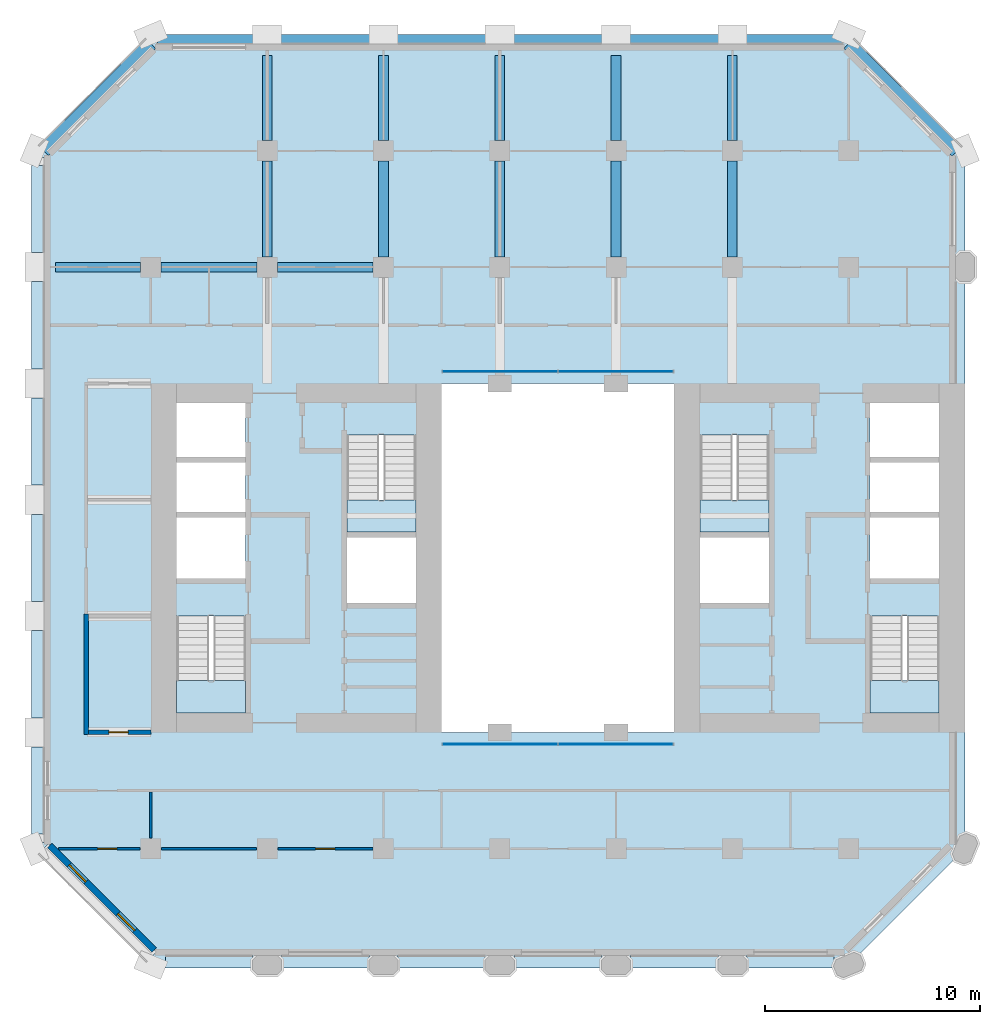
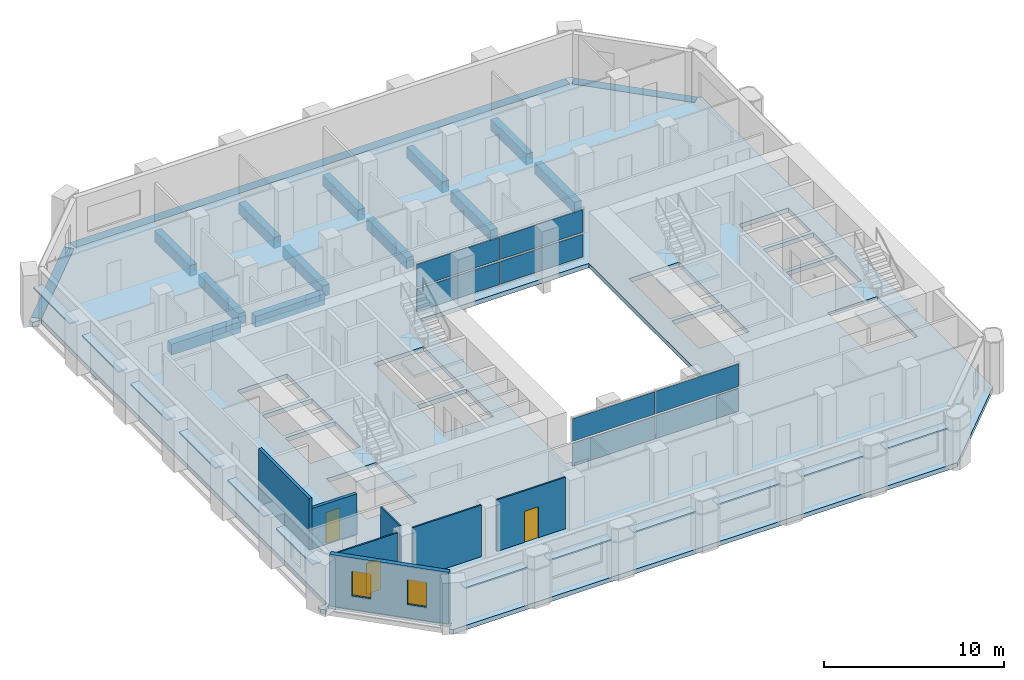
# One storey, part 5 of 12: 20 plates, 16 beams, 7 walls, 5 slabs, 3 doors, 2 windows, 5 openings, 6 elements without a shape of their own.
"""IFC4 building model written with IfcOpenShell, lengths in metres."""

from ifc_helpers import new_model, si_unit, direction, frame, frame_2d, origin, origin_2d, place, context, subcontext, project, spatial, polyline, rectangle, outline, extrude, material, layer, layer_set, material_profile, profile_set, type_object, element, fill, aggregate, save


model = new_model("IFC4")

# Units and contexts
model_context = context("Model", 3, precision=1e-05, world=origin(), true_north=direction((0.0, 1.0)))
body_context = subcontext(model_context, "Body", "Model", "MODEL_VIEW")
ifc_project = project(units=[si_unit("LENGTHUNIT", "METRE"), si_unit("AREAUNIT", "SQUARE_METRE"), si_unit("VOLUMEUNIT", "CUBIC_METRE"), si_unit("PLANEANGLEUNIT", "RADIAN"), si_unit("MASSUNIT", "GRAM", prefix="KILO")], contexts=[model_context])

# Site, building, storey
site_placement = place(None, origin())
site = spatial("IfcSite", under=ifc_project, at=site_placement, CompositionType="ELEMENT")
building_placement = place(site_placement, origin())
building = spatial("IfcBuilding", under=site, at=building_placement, Name="Tabaq Tower and Sports Hall", CompositionType="ELEMENT")
storey_placement = place(building_placement, frame((0.0, 0.0, 99.199951171875)))
storey = spatial("IfcBuildingStorey", under=building, at=storey_placement, Name="L23", CompositionType="ELEMENT", Elevation=99.199951171875)

# Beams
ifc_material_1 = material(Name="Concrete C40/50", Category="concrete")
ifc_material_profile_1 = material_profile(ifc_material_1, rectangle(XDim=0.449951171875, YDim=0.75, at=origin_2d()), Name="CB 450x750")
ifc_profile_set_1 = profile_set([ifc_material_profile_1], Name="Concrete C40/50")
beam_type_1 = type_object("IfcBeamType", Name="PT CANTILEVER BEAM CB 450x750 C40/50", PredefinedType="BEAM", material=ifc_profile_set_1)
beam_1_placement = place(storey_placement, frame((0.97509765625, 37.800048828125, -0.675048828125), z_axis=(1.0, 0.0, 0.0), x_axis=(0.0, 1.0, 0.0)))
element("IfcBeam", 1, at=beam_1_placement, inside=storey, type_object=beam_type_1, Name="Cantilever Beam L23 W7 span 1", PredefinedType="BEAM", context=body_context, shape_type="SweptSolid", body=[
    extrude(rectangle(XDim=0.449951171875, YDim=0.75, at=origin_2d()), origin(), (0.0, 0.0, 1.0), 3.949951171875),
])
beam_2_placement = place(storey_placement, frame((5.875, 37.800048828125, -0.675048828125), z_axis=(1.0, 0.0, 0.0), x_axis=(0.0, 1.0, 0.0)))
element("IfcBeam", 2, at=beam_2_placement, inside=storey, type_object=beam_type_1, Name="Cantilever Beam L23 W7 span 2", PredefinedType="BEAM", context=body_context, shape_type="SweptSolid", body=[
    extrude(rectangle(XDim=0.449951171875, YDim=0.75, at=origin_2d()), origin(), (0.0, 0.0, 1.0), 4.449951171875),
])
beam_3_placement = place(storey_placement, frame((11.27490234375, 37.800048828125, -0.675048828125), z_axis=(1.0, 0.0, 0.0), x_axis=(0.0, 1.0, 0.0)))
element("IfcBeam", 3, at=beam_3_placement, inside=storey, type_object=beam_type_1, Name="Cantilever Beam L23 W7 span 3", PredefinedType="BEAM", context=body_context, shape_type="SweptSolid", body=[
    extrude(rectangle(XDim=0.449951171875, YDim=0.75, at=origin_2d()), origin(), (0.0, 0.0, 1.0), 4.4501953125),
])
beam_4_placement = place(storey_placement, frame((10.800048828125, 47.625, -0.675048828125), z_axis=(0.0, -1.0, 0.0), x_axis=(1.0, 0.0, 0.0)))
element("IfcBeam", 4, at=beam_4_placement, inside=storey, type_object=beam_type_1, Name="Cantilever Beam L23 N2 span 1", PredefinedType="BEAM", context=body_context, shape_type="SweptSolid", body=[
    extrude(rectangle(XDim=0.449951171875, YDim=0.75, at=origin_2d()), origin(), (0.0, 0.0, 1.0), 3.949951171875),
])
beam_5_placement = place(storey_placement, frame((10.800048828125, 42.72509765625, -0.675048828125), z_axis=(0.0, -1.0, 0.0), x_axis=(1.0, 0.0, 0.0)))
element("IfcBeam", 5, at=beam_5_placement, inside=storey, type_object=beam_type_1, Name="Cantilever Beam L23 N2 span 2", PredefinedType="BEAM", context=body_context, shape_type="SweptSolid", body=[
    extrude(rectangle(XDim=0.449951171875, YDim=0.75, at=origin_2d()), origin(), (0.0, 0.0, 1.0), 4.4501953125),
])
beam_6_placement = place(storey_placement, frame((16.199951171875, 47.625, -0.675048828125), z_axis=(0.0, -1.0, 0.0), x_axis=(1.0, 0.0, 0.0)))
element("IfcBeam", 6, at=beam_6_placement, inside=storey, type_object=beam_type_1, Name="Cantilever Beam L23 N3 span 1", PredefinedType="BEAM", context=body_context, shape_type="SweptSolid", body=[
    extrude(rectangle(XDim=0.449951171875, YDim=0.75, at=origin_2d()), origin(), (0.0, 0.0, 1.0), 3.949951171875),
])
beam_7_placement = place(storey_placement, frame((16.199951171875, 42.72509765625, -0.675048828125), z_axis=(0.0, -1.0, 0.0), x_axis=(1.0, 0.0, 0.0)))
element("IfcBeam", 7, at=beam_7_placement, inside=storey, type_object=beam_type_1, Name="Cantilever Beam L23 N3 span 2", PredefinedType="BEAM", context=body_context, shape_type="SweptSolid", body=[
    extrude(rectangle(XDim=0.449951171875, YDim=0.75, at=origin_2d()), origin(), (0.0, 0.0, 1.0), 4.4501953125),
])
beam_8_placement = place(storey_placement, frame((21.60009765625, 47.625, -0.675048828125), z_axis=(0.0, -1.0, 0.0), x_axis=(1.0, 0.0, 0.0)))
element("IfcBeam", 8, at=beam_8_placement, inside=storey, type_object=beam_type_1, Name="Cantilever Beam L23 N4 span 1", PredefinedType="BEAM", context=body_context, shape_type="SweptSolid", body=[
    extrude(rectangle(XDim=0.449951171875, YDim=0.75, at=origin_2d()), origin(), (0.0, 0.0, 1.0), 3.949951171875),
])
beam_9_placement = place(storey_placement, frame((21.60009765625, 42.72509765625, -0.675048828125), z_axis=(0.0, -1.0, 0.0), x_axis=(1.0, 0.0, 0.0)))
element("IfcBeam", 9, at=beam_9_placement, inside=storey, type_object=beam_type_1, Name="Cantilever Beam L23 N4 span 2", PredefinedType="BEAM", context=body_context, shape_type="SweptSolid", body=[
    extrude(rectangle(XDim=0.449951171875, YDim=0.75, at=origin_2d()), origin(), (0.0, 0.0, 1.0), 4.4501953125),
])
beam_10_placement = place(storey_placement, frame((27.0, 47.625, -0.675048828125), z_axis=(0.0, -1.0, 0.0), x_axis=(1.0, 0.0, 0.0)))
element("IfcBeam", 10, at=beam_10_placement, inside=storey, type_object=beam_type_1, Name="Cantilever Beam L23 N5 span 1", PredefinedType="BEAM", context=body_context, shape_type="SweptSolid", body=[
    extrude(rectangle(XDim=0.449951171875, YDim=0.75, at=origin_2d()), origin(), (0.0, 0.0, 1.0), 3.949951171875),
])
beam_11_placement = place(storey_placement, frame((27.0, 42.72509765625, -0.675048828125), z_axis=(0.0, -1.0, 0.0), x_axis=(1.0, 0.0, 0.0)))
element("IfcBeam", 11, at=beam_11_placement, inside=storey, type_object=beam_type_1, Name="Cantilever Beam L23 N5 span 2", PredefinedType="BEAM", context=body_context, shape_type="SweptSolid", body=[
    extrude(rectangle(XDim=0.449951171875, YDim=0.75, at=origin_2d()), origin(), (0.0, 0.0, 1.0), 4.4501953125),
])
beam_12_placement = place(storey_placement, frame((32.39990234375, 47.625, -0.675048828125), z_axis=(0.0, -1.0, 0.0), x_axis=(1.0, 0.0, 0.0)))
element("IfcBeam", 12, at=beam_12_placement, inside=storey, type_object=beam_type_1, Name="Cantilever Beam L23 N6 span 1", PredefinedType="BEAM", context=body_context, shape_type="SweptSolid", body=[
    extrude(rectangle(XDim=0.449951171875, YDim=0.75, at=origin_2d()), origin(), (0.0, 0.0, 1.0), 3.949951171875),
])
beam_13_placement = place(storey_placement, frame((32.39990234375, 42.72509765625, -0.675048828125), z_axis=(0.0, -1.0, 0.0), x_axis=(1.0, 0.0, 0.0)))
element("IfcBeam", 13, at=beam_13_placement, inside=storey, type_object=beam_type_1, Name="Cantilever Beam L23 N6 span 2", PredefinedType="BEAM", context=body_context, shape_type="SweptSolid", body=[
    extrude(rectangle(XDim=0.449951171875, YDim=0.75, at=origin_2d()), origin(), (0.0, 0.0, 1.0), 4.4501953125),
])
ifc_material_2 = material(Name="Concrete C40/50", Category="concrete")
ifc_material_profile_2 = material_profile(ifc_material_2, rectangle(XDim=0.60009765625, YDim=0.300048828125, at=origin_2d()), Name="EB 600x300")
ifc_profile_set_2 = profile_set([ifc_material_profile_2], Name="Concrete C40/50")
beam_type_2 = type_object("IfcBeamType", Name="PT EDGE BEAM EB 600x300 C40/50", PredefinedType="SPANDREL", material=ifc_profile_set_2)
beam_14_placement = place(storey_placement, frame((42.81103515625, 43.16455078125, -0.14990234375), z_axis=(-0.707089559252, 0.707124002701, 0.0), x_axis=(-0.707124002701, -0.707089559252, 0.0)))
element("IfcBeam", 14, at=beam_14_placement, inside=storey, type_object=beam_type_2, Name="Edge Beam L23 1", PredefinedType="SPANDREL", context=body_context, shape_type="SweptSolid", body=[
    extrude(rectangle(XDim=0.60009765625, YDim=0.300048828125, at=origin_2d()), origin(), (0.0, 0.0, 1.0), 7.088134765625),
])
beam_15_placement = place(storey_placement, frame((37.50146484375, 48.300048828125, -0.14990234375), z_axis=(-1.0, 0.0, 0.0), x_axis=(0.0, -1.0, 0.0)))
element("IfcBeam", 15, at=beam_15_placement, inside=storey, type_object=beam_type_2, Name="Edge Beam L23 2", PredefinedType="SPANDREL", context=body_context, shape_type="SweptSolid", body=[
    extrude(rectangle(XDim=0.60009765625, YDim=0.300048828125, at=origin_2d()), origin(), (0.0, 0.0, 1.0), 31.802978515625),
])
beam_16_placement = place(storey_placement, frame((5.401123046875, 48.1767578125, -0.14990234375), z_axis=(-0.707106781187, -0.707106781187, 0.0), x_axis=(0.707106781187, -0.707106781187, 0.0)))
element("IfcBeam", 16, at=beam_16_placement, inside=storey, type_object=beam_type_2, Name="Edge Beam L23 3", PredefinedType="SPANDREL", context=body_context, shape_type="SweptSolid", body=[
    extrude(rectangle(XDim=0.60009765625, YDim=0.300048828125, at=origin_2d()), origin(), (0.0, 0.0, 1.0), 7.03955078125),
])

# Curtain wall, plates
ifc_material_3 = material(Name="Aluminium alloy 6063-T6 framed glazing", Category="aluminium")
curtain_wall_type = type_object("IfcCurtainWallType", Name="CW1 curtain wall", PredefinedType="USERDEFINED", material=ifc_material_3)
curtain_wall_1_placement = place(storey_placement, origin())
curtain_wall_1 = element("IfcCurtainWall", 17, at=curtain_wall_1_placement, inside=storey, type_object=curtain_wall_type, Name="Atrium glazing L23 S", ObjectType="ATRIUM ENCLOSURE", PredefinedType="USERDEFINED")
ifc_material_4 = material(Name="Clear low-emissivity glass 28 mm", Category="glass")
ifc_layer_1 = layer(ifc_material_4, 0.028076171875)
ifc_layer_set_1 = layer_set([ifc_layer_1], Name="CW1 glass panel 28")
plate_type_1 = type_object("IfcPlateType", Name="CW1 glass panel 28", PredefinedType="CURTAIN_PANEL", material=ifc_layer_set_1)
plate_1_placement = place(storey_placement, frame((21.614990234375, 15.64990234375, 0.14013671875), z_axis=(0.0, 0.0, 1.0), x_axis=(1.0, 0.0, 0.0)))
plate_1 = element("IfcPlate", 18, at=plate_1_placement, type_object=plate_type_1, Name="CW1 panel 1.1", PredefinedType="CURTAIN_PANEL", context=body_context, shape_type="SweptSolid", body=[
    extrude(rectangle(XDim=5.31005859375, YDim=0.028076171875, at=origin_2d()), origin(), (0.0, 0.0, 1.0), 1.5400390625),
])
plate_2_placement = place(storey_placement, frame((21.614990234375, 15.64990234375, 1.820068359375), z_axis=(0.0, 0.0, 1.0), x_axis=(1.0, 0.0, 0.0)))
plate_2 = element("IfcPlate", 19, at=plate_2_placement, type_object=plate_type_1, Name="CW1 panel 1.2", PredefinedType="CURTAIN_PANEL", context=body_context, shape_type="SweptSolid", body=[
    extrude(rectangle(XDim=5.31005859375, YDim=0.028076171875, at=origin_2d()), origin(), (0.0, 0.0, 1.0), 1.5400390625),
])
plate_3_placement = place(storey_placement, frame((26.985107421875, 15.64990234375, 0.14013671875), z_axis=(0.0, 0.0, 1.0), x_axis=(1.0, 0.0, 0.0)))
plate_3 = element("IfcPlate", 20, at=plate_3_placement, type_object=plate_type_1, Name="CW1 panel 2.1", PredefinedType="CURTAIN_PANEL", context=body_context, shape_type="SweptSolid", body=[
    extrude(rectangle(XDim=5.31005859375, YDim=0.028076171875, at=origin_2d()), origin(), (0.0, 0.0, 1.0), 1.5400390625),
])
plate_4_placement = place(storey_placement, frame((26.985107421875, 15.64990234375, 1.820068359375), z_axis=(0.0, 0.0, 1.0), x_axis=(1.0, 0.0, 0.0)))
plate_4 = element("IfcPlate", 21, at=plate_4_placement, type_object=plate_type_1, Name="CW1 panel 2.2", PredefinedType="CURTAIN_PANEL", context=body_context, shape_type="SweptSolid", body=[
    extrude(rectangle(XDim=5.31005859375, YDim=0.028076171875, at=origin_2d()), origin(), (0.0, 0.0, 1.0), 1.5400390625),
])
aggregate(curtain_wall_1, [plate_1, plate_2, plate_3, plate_4])

curtain_wall_2_placement = place(storey_placement, origin())
curtain_wall_2 = element("IfcCurtainWall", 22, at=curtain_wall_2_placement, inside=storey, type_object=curtain_wall_type, Name="Atrium glazing L23 N", ObjectType="ATRIUM ENCLOSURE", PredefinedType="USERDEFINED")
plate_5_placement = place(storey_placement, frame((21.614990234375, 32.949951171875, 0.14013671875), z_axis=(0.0, 0.0, 1.0), x_axis=(1.0, 0.0, 0.0)))
plate_5 = element("IfcPlate", 23, at=plate_5_placement, type_object=plate_type_1, Name="CW1 panel 1.1", PredefinedType="CURTAIN_PANEL", context=body_context, shape_type="SweptSolid", body=[
    extrude(rectangle(XDim=5.31005859375, YDim=0.028076171875, at=origin_2d()), origin(), (0.0, 0.0, 1.0), 1.5400390625),
])
plate_6_placement = place(storey_placement, frame((21.614990234375, 32.949951171875, 1.820068359375), z_axis=(0.0, 0.0, 1.0), x_axis=(1.0, 0.0, 0.0)))
plate_6 = element("IfcPlate", 24, at=plate_6_placement, type_object=plate_type_1, Name="CW1 panel 1.2", PredefinedType="CURTAIN_PANEL", context=body_context, shape_type="SweptSolid", body=[
    extrude(rectangle(XDim=5.31005859375, YDim=0.028076171875, at=origin_2d()), origin(), (0.0, 0.0, 1.0), 1.5400390625),
])
plate_7_placement = place(storey_placement, frame((26.985107421875, 32.949951171875, 0.14013671875), z_axis=(0.0, 0.0, 1.0), x_axis=(1.0, 0.0, 0.0)))
plate_7 = element("IfcPlate", 25, at=plate_7_placement, type_object=plate_type_1, Name="CW1 panel 2.1", PredefinedType="CURTAIN_PANEL", context=body_context, shape_type="SweptSolid", body=[
    extrude(rectangle(XDim=5.31005859375, YDim=0.028076171875, at=origin_2d()), origin(), (0.0, 0.0, 1.0), 1.5400390625),
])
plate_8_placement = place(storey_placement, frame((26.985107421875, 32.949951171875, 1.820068359375), z_axis=(0.0, 0.0, 1.0), x_axis=(1.0, 0.0, 0.0)))
plate_8 = element("IfcPlate", 26, at=plate_8_placement, type_object=plate_type_1, Name="CW1 panel 2.2", PredefinedType="CURTAIN_PANEL", context=body_context, shape_type="SweptSolid", body=[
    extrude(rectangle(XDim=5.31005859375, YDim=0.028076171875, at=origin_2d()), origin(), (0.0, 0.0, 1.0), 1.5400390625),
])
aggregate(curtain_wall_2, [plate_5, plate_6, plate_7, plate_8])

# Stair, slab
ifc_material_5 = material(Name="Concrete C40/50", Category="concrete")
stair_type = type_object("IfcStairType", Name="Exit stair", PredefinedType="HALF_TURN_STAIR", material=ifc_material_5)
stair_1_placement = place(storey_placement, origin())
stair_1 = element("IfcStair", 27, at=stair_1_placement, inside=storey, type_object=stair_type, Name="L23 Exit stair ST1", PredefinedType="HALF_TURN_STAIR")
ifc_material_6 = material(Name="Concrete C40/50", Category="concrete")
ifc_layer_2 = layer(ifc_material_6, 0.199951171875)
ifc_layer_set_2 = layer_set([ifc_layer_2], Name="Exit stair landing")
slab_type_1 = type_object("IfcSlabType", Name="Exit stair landing", PredefinedType="LANDING", material=ifc_layer_set_2)
slab_1_placement = place(storey_placement, frame((0.0, 0.0, 1.699951171875)))
slab_1 = element("IfcSlab", 28, at=slab_1_placement, type_object=slab_type_1, Name="ST1 landing 1", PredefinedType="LANDING", context=body_context, shape_type="SweptSolid", body=[
    extrude(outline(polyline([(6.60009765625, 18.60009765625), (6.60009765625, 17.10009765625), (9.800048828125, 17.10009765625), (9.800048828125, 18.60009765625), (6.60009765625, 18.60009765625)])), origin(), (0.0, 0.0, 1.0), 0.2001953125),
])
aggregate(stair_1, [slab_1])

stair_2_placement = place(storey_placement, origin())
stair_2 = element("IfcStair", 29, at=stair_2_placement, inside=storey, type_object=stair_type, Name="L23 Exit stair ST2", PredefinedType="HALF_TURN_STAIR")
slab_2_placement = place(storey_placement, frame((0.0, 0.0, 1.699951171875)))
slab_2 = element("IfcSlab", 30, at=slab_2_placement, type_object=slab_type_1, Name="ST2 landing 1", PredefinedType="LANDING", context=body_context, shape_type="SweptSolid", body=[
    extrude(outline(polyline([(14.5, 27.0), (14.5, 25.5), (17.699951171875, 25.5), (17.699951171875, 27.0), (14.5, 27.0)])), origin(), (0.0, 0.0, 1.0), 0.2001953125),
])
aggregate(stair_2, [slab_2])

stair_3_placement = place(storey_placement, origin())
stair_3 = element("IfcStair", 31, at=stair_3_placement, inside=storey, type_object=stair_type, Name="L23 Exit stair ST3", PredefinedType="HALF_TURN_STAIR")
slab_3_placement = place(storey_placement, frame((0.0, 0.0, 1.699951171875)))
slab_3 = element("IfcSlab", 32, at=slab_3_placement, type_object=slab_type_1, Name="ST3 landing 1", PredefinedType="LANDING", context=body_context, shape_type="SweptSolid", body=[
    extrude(outline(polyline([(38.800048828125, 18.60009765625), (38.800048828125, 17.10009765625), (42.0, 17.10009765625), (42.0, 18.60009765625), (38.800048828125, 18.60009765625)])), origin(), (0.0, 0.0, 1.0), 0.2001953125),
])
aggregate(stair_3, [slab_3])

stair_4_placement = place(storey_placement, origin())
stair_4 = element("IfcStair", 33, at=stair_4_placement, inside=storey, type_object=stair_type, Name="L23 Exit stair ST4", PredefinedType="HALF_TURN_STAIR")
slab_4_placement = place(storey_placement, frame((0.0, 0.0, 1.699951171875)))
slab_4 = element("IfcSlab", 34, at=slab_4_placement, type_object=slab_type_1, Name="ST4 landing 1", PredefinedType="LANDING", context=body_context, shape_type="SweptSolid", body=[
    extrude(outline(polyline([(30.89990234375, 27.0), (30.89990234375, 25.5), (34.10009765625, 25.5), (34.10009765625, 27.0), (30.89990234375, 27.0)])), origin(), (0.0, 0.0, 1.0), 0.2001953125),
])
aggregate(stair_4, [slab_4])

# Slab
ifc_material_7 = material(Name="Concrete C40/50", Category="concrete")
ifc_layer_3 = layer(ifc_material_7, 0.300048828125)
ifc_layer_set_3 = layer_set([ifc_layer_3], Name="PT FLOOR SLAB 300 C40/50")
slab_type_2 = type_object("IfcSlabType", Name="PT FLOOR SLAB 300 C40/50", PredefinedType="FLOOR", material=ifc_layer_set_3)
slab_5_placement = place(storey_placement, frame((0.0, 0.0, -0.300048828125)))
element("IfcSlab", 35, at=slab_5_placement, inside=storey, type_object=slab_type_2, Name="Floor Slab L23", PredefinedType="FLOOR", context=body_context, shape_type="SweptSolid", body=[
    extrude(outline(polyline([(0.0, 11.0986328125), (0.0, 10.800048828125), (0.211181640625, 10.5888671875), (0.63525390625, 11.01318359375), (5.6474609375, 6.0009765625), (5.57666015625, 5.930419921875), (5.22314453125, 5.57666015625), (5.39990234375, 5.39990234375), (37.800048828125, 5.39990234375), (43.199951171875, 10.800048828125), (43.199951171875, 43.199951171875), (43.023193359375, 43.376708984375), (42.669677734375, 43.023193359375), (42.598876953125, 42.952392578125), (37.5869140625, 47.964599609375), (37.657470703125, 48.035400390625), (38.010986328125, 48.388916015625), (37.800048828125, 48.60009765625), (37.50146484375, 48.60009765625), (37.50146484375, 48.10009765625), (37.50146484375, 48.0), (5.698486328125, 48.0), (5.698486328125, 48.10009765625), (5.698486328125, 48.60009765625), (5.39990234375, 48.60009765625), (5.18896484375, 48.388916015625), (5.54248046875, 48.035400390625), (5.61328125, 47.964599609375), (0.63525390625, 42.98681640625), (0.211181640625, 43.4111328125), (0.0, 43.199951171875), (0.0, 42.9013671875), (0.5, 42.9013671875), (0.60009765625, 42.9013671875), (0.60009765625, 11.0986328125), (0.5, 11.0986328125), (0.0, 11.0986328125)]), holes=[polyline([(6.60009765625, 21.599365234375), (9.800048828125, 21.599365234375), (9.800048828125, 17.10009765625), (6.60009765625, 17.10009765625), (6.60009765625, 21.599365234375)]), polyline([(17.699951171875, 25.25), (17.699951171875, 22.199951171875), (14.5, 22.199951171875), (14.5, 25.25), (17.699951171875, 25.25)]), polyline([(18.89990234375, 32.39990234375), (29.699951171875, 32.39990234375), (29.699951171875, 16.199951171875), (18.89990234375, 16.199951171875), (18.89990234375, 32.39990234375)]), polyline([(6.60009765625, 26.175048828125), (9.800048828125, 26.175048828125), (9.800048828125, 23.35009765625), (6.60009765625, 23.35009765625), (6.60009765625, 26.175048828125)]), polyline([(9.800048828125, 28.72509765625), (9.800048828125, 26.425048828125), (6.60009765625, 26.425048828125), (6.60009765625, 28.72509765625), (9.800048828125, 28.72509765625)]), polyline([(17.699951171875, 29.99951171875), (17.699951171875, 25.5), (14.5, 25.5), (14.5, 29.99951171875), (17.699951171875, 29.99951171875)]), polyline([(6.60009765625, 31.5), (9.800048828125, 31.5), (9.800048828125, 28.97509765625), (6.60009765625, 28.97509765625), (6.60009765625, 31.5)]), polyline([(42.0, 21.599365234375), (42.0, 17.10009765625), (38.800048828125, 17.10009765625), (38.800048828125, 21.599365234375), (42.0, 21.599365234375)]), polyline([(34.10009765625, 25.25), (34.10009765625, 22.199951171875), (30.89990234375, 22.199951171875), (30.89990234375, 25.25), (34.10009765625, 25.25)]), polyline([(42.0, 26.175048828125), (42.0, 23.35009765625), (38.800048828125, 23.35009765625), (38.800048828125, 26.175048828125), (42.0, 26.175048828125)]), polyline([(42.0, 28.72509765625), (42.0, 26.425048828125), (38.800048828125, 26.425048828125), (38.800048828125, 28.72509765625), (42.0, 28.72509765625)]), polyline([(34.10009765625, 29.99951171875), (34.10009765625, 25.5), (30.89990234375, 25.5), (30.89990234375, 29.99951171875), (34.10009765625, 29.99951171875)]), polyline([(42.0, 31.5), (42.0, 28.97509765625), (38.800048828125, 28.97509765625), (38.800048828125, 31.5), (42.0, 31.5)])]), origin(), (0.0, 0.0, 1.0), 0.300048828125),
])

# Plates
ifc_material_8 = material(Name="White precast concrete C60/75 blade", Category="concrete")
ifc_layer_4 = layer(ifc_material_8, 0.10009765625)
ifc_layer_set_4 = layer_set([ifc_layer_4], Name="White precast concrete C60/75 sunshade 100")
plate_type_2 = type_object("IfcPlateType", Name="White precast concrete C60/75 sunshade 100", PredefinedType="USERDEFINED", material=ifc_layer_set_4)
for number, where, z_axis, x_axis, name in (
    (36, (8.10009765625, 5.550048828125, 2.60009765625), (0.0, 0.0, 1.0), (1.0, 0.0, 0.0), "Sunshade L23 S"),
    (37, (13.5, 5.550048828125, 2.60009765625), (0.0, 0.0, 1.0), (1.0, 0.0, 0.0), "Sunshade L23 S"),
    (38, (18.89990234375, 5.550048828125, 2.60009765625), (0.0, 0.0, 1.0), (1.0, 0.0, 0.0), "Sunshade L23 S"),
    (39, (24.300048828125, 5.550048828125, 2.60009765625), (0.0, 0.0, 1.0), (1.0, 0.0, 0.0), "Sunshade L23 S"),
    (40, (29.699951171875, 5.550048828125, 2.60009765625), (0.0, 0.0, 1.0), (1.0, 0.0, 0.0), "Sunshade L23 S"),
    (41, (35.10009765625, 5.550048828125, 2.60009765625), (0.0, 0.0, 1.0), (1.0, 0.0, 0.0), "Sunshade L23 S"),
    (42, (0.14990234375, 40.5, 2.60009765625), (0.0, 0.0, 1.0), (0.0, -1.0, 0.0), "Sunshade L23 W"),
    (43, (0.14990234375, 35.10009765625, 2.60009765625), (0.0, 0.0, 1.0), (0.0, -1.0, 0.0), "Sunshade L23 W"),
    (44, (0.14990234375, 29.699951171875, 2.60009765625), (0.0, 0.0, 1.0), (0.0, -1.0, 0.0), "Sunshade L23 W"),
    (45, (0.14990234375, 24.300048828125, 2.60009765625), (0.0, 0.0, 1.0), (0.0, -1.0, 0.0), "Sunshade L23 W"),
    (46, (0.14990234375, 18.89990234375, 2.60009765625), (0.0, 0.0, 1.0), (0.0, -1.0, 0.0), "Sunshade L23 W"),
    (47, (0.14990234375, 13.5, 2.60009765625), (0.0, 0.0, 1.0), (0.0, -1.0, 0.0), "Sunshade L23 W"),
):
    element("IfcPlate", number, at=place(storey_placement, frame(where, z_axis=z_axis, x_axis=x_axis)), inside=storey, type_object=plate_type_2, Name=name, ObjectType="SUNSHADE", PredefinedType="USERDEFINED", context=body_context, shape_type="SweptSolid", body=[
        extrude(rectangle(XDim=4.050048828125, YDim=0.60009765625, at=origin_2d()), origin(), (0.0, 0.0, 1.0), 0.10009765625),
    ])

# Wall
ifc_material_9 = material(Name="Blockwork", Category="masonry")
ifc_layer_5 = layer(ifc_material_9, 0.199951171875)
ifc_layer_set_5 = layer_set([ifc_layer_5], Name="Fire compartment wall 200 Blockwork")
wall_type_1 = type_object("IfcWallType", Name="Fire compartment wall 200 Blockwork", PredefinedType="PARTITIONING", material=ifc_layer_set_5)
wall_1_placement = place(storey_placement, frame((2.39990234375, 21.699951171875, 0.0), z_axis=(0.0, 0.0, 1.0), x_axis=(0.0, -1.0, 0.0)))
element("IfcWall", 48, at=wall_1_placement, inside=storey, type_object=wall_type_1, Name="Compartment wall L23", PredefinedType="PARTITIONING", context=body_context, shape_type="SweptSolid", body=[
    extrude(rectangle(XDim=5.599853515625, YDim=0.199951171875, at=frame_2d((2.7998046875, 0.0))), origin(), (0.0, 0.0, 1.0), 3.5),
])

# Wall, opening, door
wall_2_placement = place(storey_placement, frame((2.5, 16.199951171875, 0.0), z_axis=(0.0, 0.0, 1.0), x_axis=(1.0, 0.0, 0.0)))
wall_2 = element("IfcWall", 49, at=wall_2_placement, inside=storey, type_object=wall_type_1, Name="Compartment wall L23", PredefinedType="PARTITIONING", context=body_context, shape_type="SweptSolid", body=[
    extrude(rectangle(XDim=2.89990234375, YDim=0.199951171875, at=frame_2d((1.449951171875, 0.0))), origin(), (0.0, 0.0, 1.0), 2.75),
])
opening_1_placement = place(wall_2_placement, frame((0.949951171875, 0.0, 0.0)))
opening_1 = element("IfcOpeningElement", 50, at=opening_1_placement, cuts=wall_2, Name="Opening L23-008", PredefinedType="OPENING", context=body_context, shape_type="SweptSolid", body=[
    extrude(rectangle(XDim=0.89990234375, YDim=2.10009765625, at=frame_2d((0.449951171875, 1.050048828125))), frame((0.0, 0.10009765625, 0.0), z_axis=(0.0, -1.0, 0.0), x_axis=(1.0, 0.0, 0.0)), (0.0, 0.0, 1.0), 0.199951171875),
])
ifc_material_10 = material(Name="Steel fire door", Category="steel")
door_type_1 = type_object("IfcDoorType", Name="Plant room door 900 right hand", OperationType="SINGLE_SWING_RIGHT", PredefinedType="DOOR", material=ifc_material_10)
door_1_placement = place(opening_1_placement, origin())
door_1 = element("IfcDoor", 51, at=door_1_placement, inside=storey, type_object=door_type_1, Name="Plant room door L23-008", OperationType="SINGLE_SWING_RIGHT", OverallHeight=2.10009765625, OverallWidth=0.89990234375, PredefinedType="DOOR", context=body_context, shape_type="SweptSolid", body=[
    extrude(rectangle(XDim=0.89990234375, YDim=2.10009765625, at=frame_2d((0.449951171875, 1.050048828125))), frame((0.0, 0.02490234375, 0.0), z_axis=(0.0, -1.0, 0.0), x_axis=(1.0, 0.0, 0.0)), (0.0, 0.0, 1.0), 0.050048828125),
])
fill(opening_1, door_1)

ifc_material_11 = material(Name="Gypsum board on steel studs", Category="steel")
ifc_layer_6 = layer(ifc_material_11, 0.10009765625)
ifc_layer_set_6 = layer_set([ifc_layer_6], Name="Partition 100 Gypsum board")
wall_type_2 = type_object("IfcWallType", Name="Partition 100 Gypsum board", PredefinedType="PARTITIONING", material=ifc_layer_set_6)
wall_3_placement = place(storey_placement, frame((1.112060546875, 10.800048828125, 0.0), z_axis=(0.0, 0.0, 1.0), x_axis=(1.0, 0.0, 0.0)))
wall_3 = element("IfcWall", 52, at=wall_3_placement, inside=storey, type_object=wall_type_2, Name="Partition wall L23", PredefinedType="PARTITIONING", context=body_context, shape_type="SweptSolid", body=[
    extrude(rectangle(XDim=3.79296875, YDim=0.10009765625, at=frame_2d((1.896484375, 0.0))), origin(), (0.0, 0.0, 1.0), 3.5),
])
opening_2_placement = place(wall_3_placement, frame((1.81298828125, 0.0, 0.0)))
opening_2 = element("IfcOpeningElement", 53, at=opening_2_placement, cuts=wall_3, Name="Opening L23-029", PredefinedType="OPENING", context=body_context, shape_type="SweptSolid", body=[
    extrude(rectangle(XDim=0.89990234375, YDim=2.10009765625, at=frame_2d((0.449951171875, 1.050048828125))), frame((0.0, 0.050048828125, 0.0), z_axis=(0.0, -1.0, 0.0), x_axis=(1.0, 0.0, 0.0)), (0.0, 0.0, 1.0), 0.10009765625),
])
ifc_material_12 = material(Name="Timber leaf in steel frame", Category="steel")
door_type_2 = type_object("IfcDoorType", Name="Internal door 900 right hand", OperationType="SINGLE_SWING_RIGHT", PredefinedType="DOOR", material=ifc_material_12)
door_2_placement = place(opening_2_placement, origin())
door_2 = element("IfcDoor", 54, at=door_2_placement, inside=storey, type_object=door_type_2, Name="Internal door L23-029", OperationType="SINGLE_SWING_RIGHT", OverallHeight=2.10009765625, OverallWidth=0.89990234375, PredefinedType="DOOR", context=body_context, shape_type="SweptSolid", body=[
    extrude(rectangle(XDim=0.89990234375, YDim=2.10009765625, at=frame_2d((0.449951171875, 1.050048828125))), frame((0.0, 0.02490234375, 0.0), z_axis=(0.0, -1.0, 0.0), x_axis=(1.0, 0.0, 0.0)), (0.0, 0.0, 1.0), 0.050048828125),
])
fill(opening_2, door_2)

# Walls
wall_4_placement = place(storey_placement, frame((5.39990234375, 11.294921875, 0.0), z_axis=(0.0, 0.0, 1.0), x_axis=(0.0, 1.0, 0.0)))
element("IfcWall", 55, at=wall_4_placement, inside=storey, type_object=wall_type_2, Name="Partition wall L23", PredefinedType="PARTITIONING", context=body_context, shape_type="SweptSolid", body=[
    extrude(rectangle(XDim=2.130126953125, YDim=0.10009765625, at=frame_2d((1.06494140625, 0.0))), origin(), (0.0, 0.0, 1.0), 3.5),
])
wall_5_placement = place(storey_placement, frame((5.89501953125, 10.800048828125, 0.0), z_axis=(0.0, 0.0, 1.0), x_axis=(1.0, 0.0, 0.0)))
element("IfcWall", 56, at=wall_5_placement, inside=storey, type_object=wall_type_2, Name="Partition wall L23", PredefinedType="PARTITIONING", context=body_context, shape_type="SweptSolid", body=[
    extrude(rectangle(XDim=4.409912109375, YDim=0.10009765625, at=frame_2d((2.205078125, 0.0))), origin(), (0.0, 0.0, 1.0), 3.5),
])

# Wall, opening, door
wall_6_placement = place(storey_placement, frame((11.294921875, 10.800048828125, 0.0), z_axis=(0.0, 0.0, 1.0), x_axis=(1.0, 0.0, 0.0)))
wall_6 = element("IfcWall", 57, at=wall_6_placement, inside=storey, type_object=wall_type_2, Name="Partition wall L23", PredefinedType="PARTITIONING", context=body_context, shape_type="SweptSolid", body=[
    extrude(rectangle(XDim=4.41015625, YDim=0.10009765625, at=frame_2d((2.205078125, 0.0))), origin(), (0.0, 0.0, 1.0), 3.5),
])
opening_3_placement = place(wall_6_placement, frame((1.7548828125, 0.0, 0.0)))
opening_3 = element("IfcOpeningElement", 58, at=opening_3_placement, cuts=wall_6, Name="Opening L23-018", PredefinedType="OPENING", context=body_context, shape_type="SweptSolid", body=[
    extrude(rectangle(XDim=0.89990234375, YDim=2.10009765625, at=frame_2d((0.449951171875, 1.050048828125))), frame((0.0, 0.050048828125, 0.0), z_axis=(0.0, -1.0, 0.0), x_axis=(1.0, 0.0, 0.0)), (0.0, 0.0, 1.0), 0.10009765625),
])
ifc_material_13 = material(Name="Timber leaf in steel frame", Category="steel")
door_type_3 = type_object("IfcDoorType", Name="Internal door 900 left hand", OperationType="SINGLE_SWING_LEFT", PredefinedType="DOOR", material=ifc_material_13)
door_3_placement = place(opening_3_placement, origin())
door_3 = element("IfcDoor", 59, at=door_3_placement, inside=storey, type_object=door_type_3, Name="Internal door L23-018", OperationType="SINGLE_SWING_LEFT", OverallHeight=2.10009765625, OverallWidth=0.89990234375, PredefinedType="DOOR", context=body_context, shape_type="SweptSolid", body=[
    extrude(rectangle(XDim=0.89990234375, YDim=2.10009765625, at=frame_2d((0.449951171875, 1.050048828125))), frame((0.0, 0.02490234375, 0.0), z_axis=(0.0, -1.0, 0.0), x_axis=(1.0, 0.0, 0.0)), (0.0, 0.0, 1.0), 0.050048828125),
])
fill(opening_3, door_3)

# Wall, openings, windows
ifc_material_14 = material(Name="White precast concrete C60/75", Category="concrete")
ifc_layer_7 = layer(ifc_material_14, 0.300048828125)
ifc_layer_set_7 = layer_set([ifc_layer_7], Name="White precast concrete C60/75 external wall 300")
wall_type_3 = type_object("IfcWallType", Name="White precast concrete C60/75 external wall 300", PredefinedType="SOLIDWALL", material=ifc_layer_set_7)
wall_7_placement = place(storey_placement, frame((0.698974609375, 10.949462890625, 0.0), z_axis=(0.0, 0.0, 1.0), x_axis=(0.707106781187, -0.707106781187, 0.0)))
wall_7 = element("IfcWall", 60, at=wall_7_placement, inside=storey, type_object=wall_type_3, Name="External Wall L23 SW", PredefinedType="SOLIDWALL", context=body_context, shape_type="SweptSolid", body=[
    extrude(rectangle(XDim=6.85986328125, YDim=0.300048828125, at=frame_2d((3.429931640625, 0.0))), origin(), (0.0, 0.0, 1.0), 3.5),
])
opening_4_placement = place(wall_7_placement, frame((1.27978515625, 0.0, 0.89990234375)))
opening_4 = element("IfcOpeningElement", 61, at=opening_4_placement, cuts=wall_7, Name="Opening W1B", PredefinedType="OPENING", context=body_context, shape_type="SweptSolid", body=[
    extrude(rectangle(XDim=1.10009765625, YDim=1.699951171875, at=frame_2d((0.550048828125, 0.85009765625))), frame((0.0, 0.16015625, 0.0), z_axis=(0.0, -1.0, 0.0), x_axis=(1.0, 0.0, 0.0)), (0.0, 0.0, 1.0), 0.320068359375),
])
opening_5_placement = place(wall_7_placement, frame((4.479736328125, 0.0, 0.89990234375)))
opening_5 = element("IfcOpeningElement", 62, at=opening_5_placement, cuts=wall_7, Name="Opening W1B", PredefinedType="OPENING", context=body_context, shape_type="SweptSolid", body=[
    extrude(rectangle(XDim=1.10009765625, YDim=1.699951171875, at=frame_2d((0.550048828125, 0.85009765625))), frame((0.0, 0.16015625, 0.0), z_axis=(0.0, -1.0, 0.0), x_axis=(1.0, 0.0, 0.0)), (0.0, 0.0, 1.0), 0.320068359375),
])
ifc_material_15 = material(Name="Aluminium framed clear glazing", Category="aluminium")
window_type = type_object("IfcWindowType", Name="Window W1B", PartitioningType="SINGLE_PANEL", PredefinedType="WINDOW", material=ifc_material_15)
window_1_placement = place(opening_4_placement, origin())
window_1 = element("IfcWindow", 63, at=window_1_placement, inside=storey, type_object=window_type, Name="Window W1B L23", OverallHeight=1.699951171875, OverallWidth=1.10009765625, PartitioningType="SINGLE_PANEL", PredefinedType="WINDOW", context=body_context, shape_type="SweptSolid", body=[
    extrude(rectangle(XDim=1.10009765625, YDim=1.699951171875, at=frame_2d((0.550048828125, 0.85009765625))), frame((0.0, 0.030029296875, 0.0), z_axis=(0.0, -1.0, 0.0), x_axis=(1.0, 0.0, 0.0)), (0.0, 0.0, 1.0), 0.06005859375),
])
fill(opening_4, window_1)
window_2_placement = place(opening_5_placement, origin())
window_2 = element("IfcWindow", 64, at=window_2_placement, inside=storey, type_object=window_type, Name="Window W1B L23", OverallHeight=1.699951171875, OverallWidth=1.10009765625, PartitioningType="SINGLE_PANEL", PredefinedType="WINDOW", context=body_context, shape_type="SweptSolid", body=[
    extrude(rectangle(XDim=1.10009765625, YDim=1.699951171875, at=frame_2d((0.550048828125, 0.85009765625))), frame((0.0, 0.030029296875, 0.0), z_axis=(0.0, -1.0, 0.0), x_axis=(1.0, 0.0, 0.0)), (0.0, 0.0, 1.0), 0.06005859375),
])
fill(opening_5, window_2)

save(model, "model.ifc")
